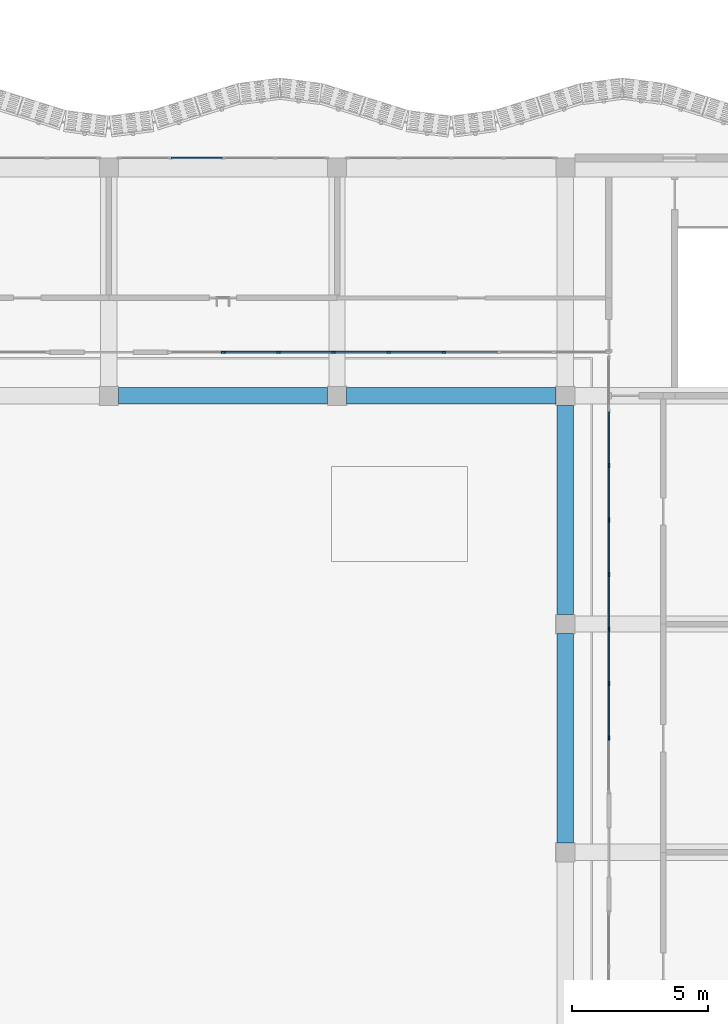
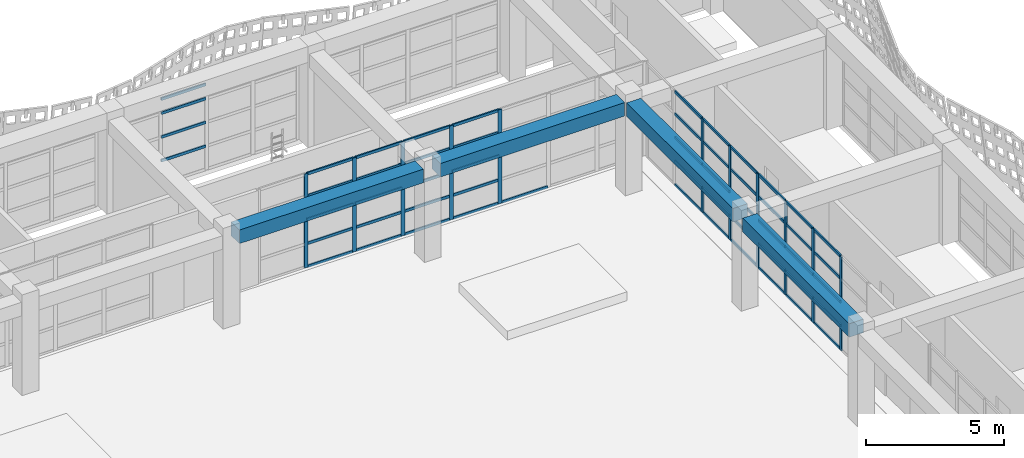
# One storey, part 12 of 85: 66 members, 4 beams, 3 elements without a shape of their own.
"""IFC4 building model written with IfcOpenShell, lengths in metres."""

from ifc_helpers import new_model, si_unit, direction, frame, origin, origin_2d, place, context, subcontext, project, spatial, rectangle, extrude, material, material_profile, profile_set, type_object, element, aggregate, save


model = new_model("IFC4")

# Units and contexts
model_context = context("Model", 3, precision=1e-05, world=origin(), true_north=direction((0.0, 1.0)))
body_context = subcontext(model_context, "Body", "Model", "MODEL_VIEW")
ifc_project = project(units=[si_unit("LENGTHUNIT", "METRE"), si_unit("AREAUNIT", "SQUARE_METRE"), si_unit("VOLUMEUNIT", "CUBIC_METRE"), si_unit("PLANEANGLEUNIT", "RADIAN"), si_unit("MASSUNIT", "GRAM", prefix="KILO")], contexts=[model_context])

# Site, building, storey
site_placement = place(None, origin())
site = spatial("IfcSite", under=ifc_project, at=site_placement, CompositionType="ELEMENT")
building_placement = place(site_placement, origin())
building = spatial("IfcBuilding", under=site, at=building_placement, Name="Rain Tree Exposition and Congress Centre", CompositionType="ELEMENT")
storey_placement = place(building_placement, frame((0.0, 0.0, 15.0)))
storey = spatial("IfcBuildingStorey", under=building, at=storey_placement, Name="L03", CompositionType="ELEMENT", Elevation=15.0)

# Beams
ifc_material_1 = material(Name="Precast concrete C50/60", Category="concrete")
ifc_material_profile_1 = material_profile(ifc_material_1, rectangle(XDim=0.60009765625, YDim=0.60009765625, at=origin_2d()), Name="RC 600x600")
ifc_profile_set_1 = profile_set([ifc_material_profile_1], Name="Precast concrete C50/60")
beam_type = type_object("IfcBeamType", Name="Precast beam 600x600", PredefinedType="BEAM", material=ifc_profile_set_1)
for number, where, z_axis, x_axis, name in (
    (1, (25.550048828125, 42.0, 3.85009765625), (1.0, 0.0, 0.0), (0.0, 1.0, 0.0), "wing/beam/L03/RF/055"),
    (2, (42.0, 25.550048828125, 3.85009765625), (0.0, 1.0, 0.0), (-1.0, 0.0, 0.0), "wing/beam/L03/RF/056"),
    (3, (33.949951171875, 42.0, 3.85009765625), (1.0, 0.0, 0.0), (0.0, 1.0, 0.0), "wing/beam/L03/RF/057"),
    (4, (42.0, 33.949951171875, 3.85009765625), (0.0, 1.0, 0.0), (-1.0, 0.0, 0.0), "wing/beam/L03/RF/058"),
):
    element("IfcBeam", number, at=place(storey_placement, frame(where, z_axis=z_axis, x_axis=x_axis)), inside=storey, type_object=beam_type, Name=name, PredefinedType="BEAM", context=body_context, shape_type="SweptSolid", body=[
        extrude(rectangle(XDim=0.60009765625, YDim=0.60009765625, at=origin_2d()), origin(), (0.0, 0.0, 1.0), 7.699951171875),
    ])

# Curtain wall, members
ifc_material_2 = material(Name="Aluminium curtain wall", Category="aluminium")
curtain_wall_type = type_object("IfcCurtainWallType", Name="Wing curtain wall 1925", PredefinedType="NOTDEFINED", material=ifc_material_2)
curtain_wall_1_placement = place(storey_placement, origin())
curtain_wall_1 = element("IfcCurtainWall", 5, at=curtain_wall_1_placement, inside=storey, type_object=curtain_wall_type, Name="Curtain wall CWW504", PredefinedType="NOTDEFINED")
ifc_material_3 = material(Name="Aluminium", Category="aluminium")
ifc_material_profile_2 = material_profile(ifc_material_3, rectangle(XDim=0.06005859375, YDim=0.159912109375, at=origin_2d()), Name="Aluminium 60x160")
ifc_profile_set_2 = profile_set([ifc_material_profile_2], Name="Aluminium")
member_type_1 = type_object("IfcMemberType", Name="Wing mullion 60x160", PredefinedType="MULLION", material=ifc_profile_set_2)
member_1_placement = place(storey_placement, frame((29.425048828125, 43.60009765625, 0.0), z_axis=(0.0, 0.0, 1.0), x_axis=(0.0, 1.0, 0.0)))
member_1 = element("IfcMember", 6, at=member_1_placement, type_object=member_type_1, Name="CWW504 mullion 2", PredefinedType="MULLION", context=body_context, shape_type="SweptSolid", body=[
    extrude(rectangle(XDim=0.06005859375, YDim=0.159912109375, at=origin_2d()), origin(), (0.0, 0.0, 1.0), 4.14990234375),
])
member_2_placement = place(storey_placement, frame((31.449951171875, 43.60009765625, 0.0), z_axis=(0.0, 0.0, 1.0), x_axis=(0.0, 1.0, 0.0)))
member_2 = element("IfcMember", 7, at=member_2_placement, type_object=member_type_1, Name="CWW504 mullion 3", PredefinedType="MULLION", context=body_context, shape_type="SweptSolid", body=[
    extrude(rectangle(XDim=0.06005859375, YDim=0.159912109375, at=origin_2d()), origin(), (0.0, 0.0, 1.0), 4.14990234375),
])
member_3_placement = place(storey_placement, frame((33.47509765625, 43.60009765625, 0.0), z_axis=(0.0, 0.0, 1.0), x_axis=(0.0, 1.0, 0.0)))
member_3 = element("IfcMember", 8, at=member_3_placement, type_object=member_type_1, Name="CWW504 mullion 4", PredefinedType="MULLION", context=body_context, shape_type="SweptSolid", body=[
    extrude(rectangle(XDim=0.06005859375, YDim=0.159912109375, at=origin_2d()), origin(), (0.0, 0.0, 1.0), 4.14990234375),
])
member_4_placement = place(storey_placement, frame((35.5, 43.60009765625, 0.0), z_axis=(0.0, 0.0, 1.0), x_axis=(0.0, 1.0, 0.0)))
member_4 = element("IfcMember", 9, at=member_4_placement, type_object=member_type_1, Name="CWW504 mullion 5", PredefinedType="MULLION", context=body_context, shape_type="SweptSolid", body=[
    extrude(rectangle(XDim=0.06005859375, YDim=0.159912109375, at=origin_2d()), origin(), (0.0, 0.0, 1.0), 4.14990234375),
])
member_5_placement = place(storey_placement, frame((37.52490234375, 43.60009765625, 0.0), z_axis=(0.0, 0.0, 1.0), x_axis=(0.0, 1.0, 0.0)))
member_5 = element("IfcMember", 10, at=member_5_placement, type_object=member_type_1, Name="CWW504 mullion 6", PredefinedType="MULLION", context=body_context, shape_type="SweptSolid", body=[
    extrude(rectangle(XDim=0.06005859375, YDim=0.159912109375, at=origin_2d()), origin(), (0.0, 0.0, 1.0), 4.14990234375),
])

curtain_wall_2_placement = place(storey_placement, origin())
curtain_wall_2 = element("IfcCurtainWall", 11, at=curtain_wall_2_placement, inside=storey, type_object=curtain_wall_type, Name="Curtain wall CWW508", PredefinedType="NOTDEFINED")
member_6_placement = place(storey_placement, frame((43.60009765625, 29.40625, 0.0), z_axis=(0.0, 0.0, 1.0), x_axis=(-1.0, 0.0, 0.0)))
member_6 = element("IfcMember", 12, at=member_6_placement, type_object=member_type_1, Name="CWW508 mullion 2", PredefinedType="MULLION", context=body_context, shape_type="SweptSolid", body=[
    extrude(rectangle(XDim=0.06005859375, YDim=0.159912109375, at=origin_2d()), origin(), (0.0, 0.0, 1.0), 4.14990234375),
])
member_7_placement = place(storey_placement, frame((43.60009765625, 31.41259765625, 0.0), z_axis=(0.0, 0.0, 1.0), x_axis=(-1.0, 0.0, 0.0)))
member_7 = element("IfcMember", 13, at=member_7_placement, type_object=member_type_1, Name="CWW508 mullion 3", PredefinedType="MULLION", context=body_context, shape_type="SweptSolid", body=[
    extrude(rectangle(XDim=0.06005859375, YDim=0.159912109375, at=origin_2d()), origin(), (0.0, 0.0, 1.0), 4.14990234375),
])
member_8_placement = place(storey_placement, frame((43.60009765625, 33.418701171875, 0.0), z_axis=(0.0, 0.0, 1.0), x_axis=(-1.0, 0.0, 0.0)))
member_8 = element("IfcMember", 14, at=member_8_placement, type_object=member_type_1, Name="CWW508 mullion 4", PredefinedType="MULLION", context=body_context, shape_type="SweptSolid", body=[
    extrude(rectangle(XDim=0.06005859375, YDim=0.159912109375, at=origin_2d()), origin(), (0.0, 0.0, 1.0), 4.14990234375),
])
member_9_placement = place(storey_placement, frame((43.60009765625, 35.425048828125, 0.0), z_axis=(0.0, 0.0, 1.0), x_axis=(-1.0, 0.0, 0.0)))
member_9 = element("IfcMember", 15, at=member_9_placement, type_object=member_type_1, Name="CWW508 mullion 5", PredefinedType="MULLION", context=body_context, shape_type="SweptSolid", body=[
    extrude(rectangle(XDim=0.06005859375, YDim=0.159912109375, at=origin_2d()), origin(), (0.0, 0.0, 1.0), 4.14990234375),
])
member_10_placement = place(storey_placement, frame((43.60009765625, 37.43115234375, 0.0), z_axis=(0.0, 0.0, 1.0), x_axis=(-1.0, 0.0, 0.0)))
member_10 = element("IfcMember", 16, at=member_10_placement, type_object=member_type_1, Name="CWW508 mullion 6", PredefinedType="MULLION", context=body_context, shape_type="SweptSolid", body=[
    extrude(rectangle(XDim=0.06005859375, YDim=0.159912109375, at=origin_2d()), origin(), (0.0, 0.0, 1.0), 4.14990234375),
])
member_11_placement = place(storey_placement, frame((43.60009765625, 39.4375, 0.0), z_axis=(0.0, 0.0, 1.0), x_axis=(-1.0, 0.0, 0.0)))
member_11 = element("IfcMember", 17, at=member_11_placement, type_object=member_type_1, Name="CWW508 mullion 7", PredefinedType="MULLION", context=body_context, shape_type="SweptSolid", body=[
    extrude(rectangle(XDim=0.06005859375, YDim=0.159912109375, at=origin_2d()), origin(), (0.0, 0.0, 1.0), 4.14990234375),
])

curtain_wall_3_placement = place(storey_placement, origin())
curtain_wall_3 = element("IfcCurtainWall", 18, at=curtain_wall_3_placement, inside=storey, type_object=curtain_wall_type, Name="Curtain wall CWW406", PredefinedType="NOTDEFINED")
ifc_material_4 = material(Name="Aluminium", Category="aluminium")
ifc_material_profile_3 = material_profile(ifc_material_4, rectangle(XDim=0.06005859375, YDim=0.1201171875, at=origin_2d()), Name="Aluminium 60x120")
ifc_profile_set_3 = profile_set([ifc_material_profile_3], Name="Aluminium")
member_type_2 = type_object("IfcMemberType", Name="Wing transom 60x120", PredefinedType="USERDEFINED", material=ifc_profile_set_3)
member_12_placement = place(storey_placement, frame((27.5048828125, 50.75, 1.050048828125), z_axis=(1.0, 0.0, 0.0), x_axis=(0.0, 1.0, 0.0)))
member_12 = element("IfcMember", 19, at=member_12_placement, type_object=member_type_2, Name="CWW406 transom 2.2", ObjectType="TRANSOM", PredefinedType="USERDEFINED", context=body_context, shape_type="SweptSolid", body=[
    extrude(rectangle(XDim=0.06005859375, YDim=0.1201171875, at=origin_2d()), origin(), (0.0, 0.0, 1.0), 1.865234375),
])
member_13_placement = place(storey_placement, frame((27.5048828125, 50.75, 2.10009765625), z_axis=(1.0, 0.0, 0.0), x_axis=(0.0, 1.0, 0.0)))
member_13 = element("IfcMember", 20, at=member_13_placement, type_object=member_type_2, Name="CWW406 transom 2.3", ObjectType="TRANSOM", PredefinedType="USERDEFINED", context=body_context, shape_type="SweptSolid", body=[
    extrude(rectangle(XDim=0.06005859375, YDim=0.1201171875, at=origin_2d()), origin(), (0.0, 0.0, 1.0), 1.865234375),
])
member_14_placement = place(storey_placement, frame((27.5048828125, 50.75, 3.14990234375), z_axis=(1.0, 0.0, 0.0), x_axis=(0.0, 1.0, 0.0)))
member_14 = element("IfcMember", 21, at=member_14_placement, type_object=member_type_2, Name="CWW406 transom 2.4", ObjectType="TRANSOM", PredefinedType="USERDEFINED", context=body_context, shape_type="SweptSolid", body=[
    extrude(rectangle(XDim=0.06005859375, YDim=0.1201171875, at=origin_2d()), origin(), (0.0, 0.0, 1.0), 1.865234375),
])
member_15_placement = place(storey_placement, frame((27.5048828125, 50.75, 3.77001953125), z_axis=(1.0, 0.0, 0.0), x_axis=(0.0, 1.0, 0.0)))
member_15 = element("IfcMember", 22, at=member_15_placement, type_object=member_type_2, Name="CWW406 transom 2.5", ObjectType="TRANSOM", PredefinedType="USERDEFINED", context=body_context, shape_type="SweptSolid", body=[
    extrude(rectangle(XDim=0.06005859375, YDim=0.1201171875, at=origin_2d()), origin(), (0.0, 0.0, 1.0), 1.865234375),
])
aggregate(curtain_wall_3, [member_12, member_13, member_14, member_15])

# Member
member_16_placement = place(storey_placement, frame((29.455078125, 43.60009765625, 0.030029296875), z_axis=(1.0, 0.0, 0.0), x_axis=(0.0, 1.0, 0.0)))
member_16 = element("IfcMember", 23, at=member_16_placement, type_object=member_type_2, Name="CWW504 transom 2.1", ObjectType="TRANSOM", PredefinedType="USERDEFINED", context=body_context, shape_type="SweptSolid", body=[
    extrude(rectangle(XDim=0.06005859375, YDim=0.1201171875, at=origin_2d()), origin(), (0.0, 0.0, 1.0), 1.96484375),
])

member_17_placement = place(storey_placement, frame((29.455078125, 43.60009765625, 1.050048828125), z_axis=(1.0, 0.0, 0.0), x_axis=(0.0, 1.0, 0.0)))
member_17 = element("IfcMember", 24, at=member_17_placement, type_object=member_type_2, Name="CWW504 transom 2.2", ObjectType="TRANSOM", PredefinedType="USERDEFINED", context=body_context, shape_type="SweptSolid", body=[
    extrude(rectangle(XDim=0.06005859375, YDim=0.1201171875, at=origin_2d()), origin(), (0.0, 0.0, 1.0), 1.96484375),
])

member_18_placement = place(storey_placement, frame((29.455078125, 43.60009765625, 2.10009765625), z_axis=(1.0, 0.0, 0.0), x_axis=(0.0, 1.0, 0.0)))
member_18 = element("IfcMember", 25, at=member_18_placement, type_object=member_type_2, Name="CWW504 transom 2.3", ObjectType="TRANSOM", PredefinedType="USERDEFINED", context=body_context, shape_type="SweptSolid", body=[
    extrude(rectangle(XDim=0.06005859375, YDim=0.1201171875, at=origin_2d()), origin(), (0.0, 0.0, 1.0), 1.96484375),
])

member_19_placement = place(storey_placement, frame((29.455078125, 43.60009765625, 3.14990234375), z_axis=(1.0, 0.0, 0.0), x_axis=(0.0, 1.0, 0.0)))
member_19 = element("IfcMember", 26, at=member_19_placement, type_object=member_type_2, Name="CWW504 transom 2.4", ObjectType="TRANSOM", PredefinedType="USERDEFINED", context=body_context, shape_type="SweptSolid", body=[
    extrude(rectangle(XDim=0.06005859375, YDim=0.1201171875, at=origin_2d()), origin(), (0.0, 0.0, 1.0), 1.96484375),
])

member_20_placement = place(storey_placement, frame((29.455078125, 43.60009765625, 4.1201171875), z_axis=(1.0, 0.0, 0.0), x_axis=(0.0, 1.0, 0.0)))
member_20 = element("IfcMember", 27, at=member_20_placement, type_object=member_type_2, Name="CWW504 transom 2.5", ObjectType="TRANSOM", PredefinedType="USERDEFINED", context=body_context, shape_type="SweptSolid", body=[
    extrude(rectangle(XDim=0.06005859375, YDim=0.1201171875, at=origin_2d()), origin(), (0.0, 0.0, 1.0), 1.96484375),
])

member_21_placement = place(storey_placement, frame((31.47998046875, 43.60009765625, 0.030029296875), z_axis=(1.0, 0.0, 0.0), x_axis=(0.0, 1.0, 0.0)))
member_21 = element("IfcMember", 28, at=member_21_placement, type_object=member_type_2, Name="CWW504 transom 3.1", ObjectType="TRANSOM", PredefinedType="USERDEFINED", context=body_context, shape_type="SweptSolid", body=[
    extrude(rectangle(XDim=0.06005859375, YDim=0.1201171875, at=origin_2d()), origin(), (0.0, 0.0, 1.0), 1.965087890625),
])

member_22_placement = place(storey_placement, frame((31.47998046875, 43.60009765625, 1.050048828125), z_axis=(1.0, 0.0, 0.0), x_axis=(0.0, 1.0, 0.0)))
member_22 = element("IfcMember", 29, at=member_22_placement, type_object=member_type_2, Name="CWW504 transom 3.2", ObjectType="TRANSOM", PredefinedType="USERDEFINED", context=body_context, shape_type="SweptSolid", body=[
    extrude(rectangle(XDim=0.06005859375, YDim=0.1201171875, at=origin_2d()), origin(), (0.0, 0.0, 1.0), 1.965087890625),
])

member_23_placement = place(storey_placement, frame((31.47998046875, 43.60009765625, 2.10009765625), z_axis=(1.0, 0.0, 0.0), x_axis=(0.0, 1.0, 0.0)))
member_23 = element("IfcMember", 30, at=member_23_placement, type_object=member_type_2, Name="CWW504 transom 3.3", ObjectType="TRANSOM", PredefinedType="USERDEFINED", context=body_context, shape_type="SweptSolid", body=[
    extrude(rectangle(XDim=0.06005859375, YDim=0.1201171875, at=origin_2d()), origin(), (0.0, 0.0, 1.0), 1.965087890625),
])

member_24_placement = place(storey_placement, frame((31.47998046875, 43.60009765625, 3.14990234375), z_axis=(1.0, 0.0, 0.0), x_axis=(0.0, 1.0, 0.0)))
member_24 = element("IfcMember", 31, at=member_24_placement, type_object=member_type_2, Name="CWW504 transom 3.4", ObjectType="TRANSOM", PredefinedType="USERDEFINED", context=body_context, shape_type="SweptSolid", body=[
    extrude(rectangle(XDim=0.06005859375, YDim=0.1201171875, at=origin_2d()), origin(), (0.0, 0.0, 1.0), 1.965087890625),
])

member_25_placement = place(storey_placement, frame((31.47998046875, 43.60009765625, 4.1201171875), z_axis=(1.0, 0.0, 0.0), x_axis=(0.0, 1.0, 0.0)))
member_25 = element("IfcMember", 32, at=member_25_placement, type_object=member_type_2, Name="CWW504 transom 3.5", ObjectType="TRANSOM", PredefinedType="USERDEFINED", context=body_context, shape_type="SweptSolid", body=[
    extrude(rectangle(XDim=0.06005859375, YDim=0.1201171875, at=origin_2d()), origin(), (0.0, 0.0, 1.0), 1.965087890625),
])

member_26_placement = place(storey_placement, frame((33.5048828125, 43.60009765625, 0.030029296875), z_axis=(1.0, 0.0, 0.0), x_axis=(0.0, 1.0, 0.0)))
member_26 = element("IfcMember", 33, at=member_26_placement, type_object=member_type_2, Name="CWW504 transom 4.1", ObjectType="TRANSOM", PredefinedType="USERDEFINED", context=body_context, shape_type="SweptSolid", body=[
    extrude(rectangle(XDim=0.06005859375, YDim=0.1201171875, at=origin_2d()), origin(), (0.0, 0.0, 1.0), 1.965087890625),
])

member_27_placement = place(storey_placement, frame((33.5048828125, 43.60009765625, 1.050048828125), z_axis=(1.0, 0.0, 0.0), x_axis=(0.0, 1.0, 0.0)))
member_27 = element("IfcMember", 34, at=member_27_placement, type_object=member_type_2, Name="CWW504 transom 4.2", ObjectType="TRANSOM", PredefinedType="USERDEFINED", context=body_context, shape_type="SweptSolid", body=[
    extrude(rectangle(XDim=0.06005859375, YDim=0.1201171875, at=origin_2d()), origin(), (0.0, 0.0, 1.0), 1.965087890625),
])

member_28_placement = place(storey_placement, frame((33.5048828125, 43.60009765625, 2.10009765625), z_axis=(1.0, 0.0, 0.0), x_axis=(0.0, 1.0, 0.0)))
member_28 = element("IfcMember", 35, at=member_28_placement, type_object=member_type_2, Name="CWW504 transom 4.3", ObjectType="TRANSOM", PredefinedType="USERDEFINED", context=body_context, shape_type="SweptSolid", body=[
    extrude(rectangle(XDim=0.06005859375, YDim=0.1201171875, at=origin_2d()), origin(), (0.0, 0.0, 1.0), 1.965087890625),
])

member_29_placement = place(storey_placement, frame((33.5048828125, 43.60009765625, 3.14990234375), z_axis=(1.0, 0.0, 0.0), x_axis=(0.0, 1.0, 0.0)))
member_29 = element("IfcMember", 36, at=member_29_placement, type_object=member_type_2, Name="CWW504 transom 4.4", ObjectType="TRANSOM", PredefinedType="USERDEFINED", context=body_context, shape_type="SweptSolid", body=[
    extrude(rectangle(XDim=0.06005859375, YDim=0.1201171875, at=origin_2d()), origin(), (0.0, 0.0, 1.0), 1.965087890625),
])

member_30_placement = place(storey_placement, frame((33.5048828125, 43.60009765625, 4.1201171875), z_axis=(1.0, 0.0, 0.0), x_axis=(0.0, 1.0, 0.0)))
member_30 = element("IfcMember", 37, at=member_30_placement, type_object=member_type_2, Name="CWW504 transom 4.5", ObjectType="TRANSOM", PredefinedType="USERDEFINED", context=body_context, shape_type="SweptSolid", body=[
    extrude(rectangle(XDim=0.06005859375, YDim=0.1201171875, at=origin_2d()), origin(), (0.0, 0.0, 1.0), 1.965087890625),
])

member_31_placement = place(storey_placement, frame((35.530029296875, 43.60009765625, 0.030029296875), z_axis=(1.0, 0.0, 0.0), x_axis=(0.0, 1.0, 0.0)))
member_31 = element("IfcMember", 38, at=member_31_placement, type_object=member_type_2, Name="CWW504 transom 5.1", ObjectType="TRANSOM", PredefinedType="USERDEFINED", context=body_context, shape_type="SweptSolid", body=[
    extrude(rectangle(XDim=0.06005859375, YDim=0.1201171875, at=origin_2d()), origin(), (0.0, 0.0, 1.0), 1.965087890625),
])

member_32_placement = place(storey_placement, frame((35.530029296875, 43.60009765625, 1.050048828125), z_axis=(1.0, 0.0, 0.0), x_axis=(0.0, 1.0, 0.0)))
member_32 = element("IfcMember", 39, at=member_32_placement, type_object=member_type_2, Name="CWW504 transom 5.2", ObjectType="TRANSOM", PredefinedType="USERDEFINED", context=body_context, shape_type="SweptSolid", body=[
    extrude(rectangle(XDim=0.06005859375, YDim=0.1201171875, at=origin_2d()), origin(), (0.0, 0.0, 1.0), 1.965087890625),
])

member_33_placement = place(storey_placement, frame((35.530029296875, 43.60009765625, 2.10009765625), z_axis=(1.0, 0.0, 0.0), x_axis=(0.0, 1.0, 0.0)))
member_33 = element("IfcMember", 40, at=member_33_placement, type_object=member_type_2, Name="CWW504 transom 5.3", ObjectType="TRANSOM", PredefinedType="USERDEFINED", context=body_context, shape_type="SweptSolid", body=[
    extrude(rectangle(XDim=0.06005859375, YDim=0.1201171875, at=origin_2d()), origin(), (0.0, 0.0, 1.0), 1.965087890625),
])

member_34_placement = place(storey_placement, frame((35.530029296875, 43.60009765625, 3.14990234375), z_axis=(1.0, 0.0, 0.0), x_axis=(0.0, 1.0, 0.0)))
member_34 = element("IfcMember", 41, at=member_34_placement, type_object=member_type_2, Name="CWW504 transom 5.4", ObjectType="TRANSOM", PredefinedType="USERDEFINED", context=body_context, shape_type="SweptSolid", body=[
    extrude(rectangle(XDim=0.06005859375, YDim=0.1201171875, at=origin_2d()), origin(), (0.0, 0.0, 1.0), 1.965087890625),
])

member_35_placement = place(storey_placement, frame((35.530029296875, 43.60009765625, 4.1201171875), z_axis=(1.0, 0.0, 0.0), x_axis=(0.0, 1.0, 0.0)))
member_35 = element("IfcMember", 42, at=member_35_placement, type_object=member_type_2, Name="CWW504 transom 5.5", ObjectType="TRANSOM", PredefinedType="USERDEFINED", context=body_context, shape_type="SweptSolid", body=[
    extrude(rectangle(XDim=0.06005859375, YDim=0.1201171875, at=origin_2d()), origin(), (0.0, 0.0, 1.0), 1.965087890625),
])

member_36_placement = place(storey_placement, frame((37.554931640625, 43.60009765625, 0.030029296875), z_axis=(1.0, 0.0, 0.0), x_axis=(0.0, 1.0, 0.0)))
member_36 = element("IfcMember", 43, at=member_36_placement, type_object=member_type_2, Name="CWW504 transom 6.1", ObjectType="TRANSOM", PredefinedType="USERDEFINED", context=body_context, shape_type="SweptSolid", body=[
    extrude(rectangle(XDim=0.06005859375, YDim=0.1201171875, at=origin_2d()), origin(), (0.0, 0.0, 1.0), 1.965087890625),
])

aggregate(curtain_wall_1, [member_1, member_2, member_3, member_4, member_5, member_16, member_17, member_18, member_19, member_20, member_21, member_22, member_23, member_24, member_25, member_26, member_27, member_28, member_29, member_30, member_31, member_32, member_33, member_34, member_35, member_36])

member_37_placement = place(storey_placement, frame((43.60009765625, 29.436279296875, 0.030029296875), z_axis=(0.0, 1.0, 0.0), x_axis=(-1.0, 0.0, 0.0)))
member_37 = element("IfcMember", 44, at=member_37_placement, type_object=member_type_2, Name="CWW508 transom 2.1", ObjectType="TRANSOM", PredefinedType="USERDEFINED", context=body_context, shape_type="SweptSolid", body=[
    extrude(rectangle(XDim=0.06005859375, YDim=0.1201171875, at=origin_2d()), origin(), (0.0, 0.0, 1.0), 1.9462890625),
])

member_38_placement = place(storey_placement, frame((43.60009765625, 29.436279296875, 1.050048828125), z_axis=(0.0, 1.0, 0.0), x_axis=(-1.0, 0.0, 0.0)))
member_38 = element("IfcMember", 45, at=member_38_placement, type_object=member_type_2, Name="CWW508 transom 2.2", ObjectType="TRANSOM", PredefinedType="USERDEFINED", context=body_context, shape_type="SweptSolid", body=[
    extrude(rectangle(XDim=0.06005859375, YDim=0.1201171875, at=origin_2d()), origin(), (0.0, 0.0, 1.0), 1.9462890625),
])

member_39_placement = place(storey_placement, frame((43.60009765625, 29.436279296875, 2.10009765625), z_axis=(0.0, 1.0, 0.0), x_axis=(-1.0, 0.0, 0.0)))
member_39 = element("IfcMember", 46, at=member_39_placement, type_object=member_type_2, Name="CWW508 transom 2.3", ObjectType="TRANSOM", PredefinedType="USERDEFINED", context=body_context, shape_type="SweptSolid", body=[
    extrude(rectangle(XDim=0.06005859375, YDim=0.1201171875, at=origin_2d()), origin(), (0.0, 0.0, 1.0), 1.9462890625),
])

member_40_placement = place(storey_placement, frame((43.60009765625, 29.436279296875, 3.14990234375), z_axis=(0.0, 1.0, 0.0), x_axis=(-1.0, 0.0, 0.0)))
member_40 = element("IfcMember", 47, at=member_40_placement, type_object=member_type_2, Name="CWW508 transom 2.4", ObjectType="TRANSOM", PredefinedType="USERDEFINED", context=body_context, shape_type="SweptSolid", body=[
    extrude(rectangle(XDim=0.06005859375, YDim=0.1201171875, at=origin_2d()), origin(), (0.0, 0.0, 1.0), 1.9462890625),
])

member_41_placement = place(storey_placement, frame((43.60009765625, 29.436279296875, 4.1201171875), z_axis=(0.0, 1.0, 0.0), x_axis=(-1.0, 0.0, 0.0)))
member_41 = element("IfcMember", 48, at=member_41_placement, type_object=member_type_2, Name="CWW508 transom 2.5", ObjectType="TRANSOM", PredefinedType="USERDEFINED", context=body_context, shape_type="SweptSolid", body=[
    extrude(rectangle(XDim=0.06005859375, YDim=0.1201171875, at=origin_2d()), origin(), (0.0, 0.0, 1.0), 1.9462890625),
])

member_42_placement = place(storey_placement, frame((43.60009765625, 31.4423828125, 0.030029296875), z_axis=(0.0, 1.0, 0.0), x_axis=(-1.0, 0.0, 0.0)))
member_42 = element("IfcMember", 49, at=member_42_placement, type_object=member_type_2, Name="CWW508 transom 3.1", ObjectType="TRANSOM", PredefinedType="USERDEFINED", context=body_context, shape_type="SweptSolid", body=[
    extrude(rectangle(XDim=0.06005859375, YDim=0.1201171875, at=origin_2d()), origin(), (0.0, 0.0, 1.0), 1.9462890625),
])

member_43_placement = place(storey_placement, frame((43.60009765625, 31.4423828125, 1.050048828125), z_axis=(0.0, 1.0, 0.0), x_axis=(-1.0, 0.0, 0.0)))
member_43 = element("IfcMember", 50, at=member_43_placement, type_object=member_type_2, Name="CWW508 transom 3.2", ObjectType="TRANSOM", PredefinedType="USERDEFINED", context=body_context, shape_type="SweptSolid", body=[
    extrude(rectangle(XDim=0.06005859375, YDim=0.1201171875, at=origin_2d()), origin(), (0.0, 0.0, 1.0), 1.9462890625),
])

member_44_placement = place(storey_placement, frame((43.60009765625, 31.4423828125, 2.10009765625), z_axis=(0.0, 1.0, 0.0), x_axis=(-1.0, 0.0, 0.0)))
member_44 = element("IfcMember", 51, at=member_44_placement, type_object=member_type_2, Name="CWW508 transom 3.3", ObjectType="TRANSOM", PredefinedType="USERDEFINED", context=body_context, shape_type="SweptSolid", body=[
    extrude(rectangle(XDim=0.06005859375, YDim=0.1201171875, at=origin_2d()), origin(), (0.0, 0.0, 1.0), 1.9462890625),
])

member_45_placement = place(storey_placement, frame((43.60009765625, 31.4423828125, 3.14990234375), z_axis=(0.0, 1.0, 0.0), x_axis=(-1.0, 0.0, 0.0)))
member_45 = element("IfcMember", 52, at=member_45_placement, type_object=member_type_2, Name="CWW508 transom 3.4", ObjectType="TRANSOM", PredefinedType="USERDEFINED", context=body_context, shape_type="SweptSolid", body=[
    extrude(rectangle(XDim=0.06005859375, YDim=0.1201171875, at=origin_2d()), origin(), (0.0, 0.0, 1.0), 1.9462890625),
])

member_46_placement = place(storey_placement, frame((43.60009765625, 31.4423828125, 4.1201171875), z_axis=(0.0, 1.0, 0.0), x_axis=(-1.0, 0.0, 0.0)))
member_46 = element("IfcMember", 53, at=member_46_placement, type_object=member_type_2, Name="CWW508 transom 3.5", ObjectType="TRANSOM", PredefinedType="USERDEFINED", context=body_context, shape_type="SweptSolid", body=[
    extrude(rectangle(XDim=0.06005859375, YDim=0.1201171875, at=origin_2d()), origin(), (0.0, 0.0, 1.0), 1.9462890625),
])

member_47_placement = place(storey_placement, frame((43.60009765625, 33.44873046875, 0.030029296875), z_axis=(0.0, 1.0, 0.0), x_axis=(-1.0, 0.0, 0.0)))
member_47 = element("IfcMember", 54, at=member_47_placement, type_object=member_type_2, Name="CWW508 transom 4.1", ObjectType="TRANSOM", PredefinedType="USERDEFINED", context=body_context, shape_type="SweptSolid", body=[
    extrude(rectangle(XDim=0.06005859375, YDim=0.1201171875, at=origin_2d()), origin(), (0.0, 0.0, 1.0), 1.9462890625),
])

member_48_placement = place(storey_placement, frame((43.60009765625, 33.44873046875, 1.050048828125), z_axis=(0.0, 1.0, 0.0), x_axis=(-1.0, 0.0, 0.0)))
member_48 = element("IfcMember", 55, at=member_48_placement, type_object=member_type_2, Name="CWW508 transom 4.2", ObjectType="TRANSOM", PredefinedType="USERDEFINED", context=body_context, shape_type="SweptSolid", body=[
    extrude(rectangle(XDim=0.06005859375, YDim=0.1201171875, at=origin_2d()), origin(), (0.0, 0.0, 1.0), 1.9462890625),
])

member_49_placement = place(storey_placement, frame((43.60009765625, 33.44873046875, 2.10009765625), z_axis=(0.0, 1.0, 0.0), x_axis=(-1.0, 0.0, 0.0)))
member_49 = element("IfcMember", 56, at=member_49_placement, type_object=member_type_2, Name="CWW508 transom 4.3", ObjectType="TRANSOM", PredefinedType="USERDEFINED", context=body_context, shape_type="SweptSolid", body=[
    extrude(rectangle(XDim=0.06005859375, YDim=0.1201171875, at=origin_2d()), origin(), (0.0, 0.0, 1.0), 1.9462890625),
])

member_50_placement = place(storey_placement, frame((43.60009765625, 33.44873046875, 3.14990234375), z_axis=(0.0, 1.0, 0.0), x_axis=(-1.0, 0.0, 0.0)))
member_50 = element("IfcMember", 57, at=member_50_placement, type_object=member_type_2, Name="CWW508 transom 4.4", ObjectType="TRANSOM", PredefinedType="USERDEFINED", context=body_context, shape_type="SweptSolid", body=[
    extrude(rectangle(XDim=0.06005859375, YDim=0.1201171875, at=origin_2d()), origin(), (0.0, 0.0, 1.0), 1.9462890625),
])

member_51_placement = place(storey_placement, frame((43.60009765625, 33.44873046875, 4.1201171875), z_axis=(0.0, 1.0, 0.0), x_axis=(-1.0, 0.0, 0.0)))
member_51 = element("IfcMember", 58, at=member_51_placement, type_object=member_type_2, Name="CWW508 transom 4.5", ObjectType="TRANSOM", PredefinedType="USERDEFINED", context=body_context, shape_type="SweptSolid", body=[
    extrude(rectangle(XDim=0.06005859375, YDim=0.1201171875, at=origin_2d()), origin(), (0.0, 0.0, 1.0), 1.9462890625),
])

member_52_placement = place(storey_placement, frame((43.60009765625, 35.455078125, 0.030029296875), z_axis=(0.0, 1.0, 0.0), x_axis=(-1.0, 0.0, 0.0)))
member_52 = element("IfcMember", 59, at=member_52_placement, type_object=member_type_2, Name="CWW508 transom 5.1", ObjectType="TRANSOM", PredefinedType="USERDEFINED", context=body_context, shape_type="SweptSolid", body=[
    extrude(rectangle(XDim=0.06005859375, YDim=0.1201171875, at=origin_2d()), origin(), (0.0, 0.0, 1.0), 1.9462890625),
])

member_53_placement = place(storey_placement, frame((43.60009765625, 35.455078125, 1.050048828125), z_axis=(0.0, 1.0, 0.0), x_axis=(-1.0, 0.0, 0.0)))
member_53 = element("IfcMember", 60, at=member_53_placement, type_object=member_type_2, Name="CWW508 transom 5.2", ObjectType="TRANSOM", PredefinedType="USERDEFINED", context=body_context, shape_type="SweptSolid", body=[
    extrude(rectangle(XDim=0.06005859375, YDim=0.1201171875, at=origin_2d()), origin(), (0.0, 0.0, 1.0), 1.9462890625),
])

member_54_placement = place(storey_placement, frame((43.60009765625, 35.455078125, 2.10009765625), z_axis=(0.0, 1.0, 0.0), x_axis=(-1.0, 0.0, 0.0)))
member_54 = element("IfcMember", 61, at=member_54_placement, type_object=member_type_2, Name="CWW508 transom 5.3", ObjectType="TRANSOM", PredefinedType="USERDEFINED", context=body_context, shape_type="SweptSolid", body=[
    extrude(rectangle(XDim=0.06005859375, YDim=0.1201171875, at=origin_2d()), origin(), (0.0, 0.0, 1.0), 1.9462890625),
])

member_55_placement = place(storey_placement, frame((43.60009765625, 35.455078125, 3.14990234375), z_axis=(0.0, 1.0, 0.0), x_axis=(-1.0, 0.0, 0.0)))
member_55 = element("IfcMember", 62, at=member_55_placement, type_object=member_type_2, Name="CWW508 transom 5.4", ObjectType="TRANSOM", PredefinedType="USERDEFINED", context=body_context, shape_type="SweptSolid", body=[
    extrude(rectangle(XDim=0.06005859375, YDim=0.1201171875, at=origin_2d()), origin(), (0.0, 0.0, 1.0), 1.9462890625),
])

member_56_placement = place(storey_placement, frame((43.60009765625, 35.455078125, 4.1201171875), z_axis=(0.0, 1.0, 0.0), x_axis=(-1.0, 0.0, 0.0)))
member_56 = element("IfcMember", 63, at=member_56_placement, type_object=member_type_2, Name="CWW508 transom 5.5", ObjectType="TRANSOM", PredefinedType="USERDEFINED", context=body_context, shape_type="SweptSolid", body=[
    extrude(rectangle(XDim=0.06005859375, YDim=0.1201171875, at=origin_2d()), origin(), (0.0, 0.0, 1.0), 1.9462890625),
])

member_57_placement = place(storey_placement, frame((43.60009765625, 37.461181640625, 0.030029296875), z_axis=(0.0, 1.0, 0.0), x_axis=(-1.0, 0.0, 0.0)))
member_57 = element("IfcMember", 64, at=member_57_placement, type_object=member_type_2, Name="CWW508 transom 6.1", ObjectType="TRANSOM", PredefinedType="USERDEFINED", context=body_context, shape_type="SweptSolid", body=[
    extrude(rectangle(XDim=0.06005859375, YDim=0.1201171875, at=origin_2d()), origin(), (0.0, 0.0, 1.0), 1.9462890625),
])

member_58_placement = place(storey_placement, frame((43.60009765625, 37.461181640625, 1.050048828125), z_axis=(0.0, 1.0, 0.0), x_axis=(-1.0, 0.0, 0.0)))
member_58 = element("IfcMember", 65, at=member_58_placement, type_object=member_type_2, Name="CWW508 transom 6.2", ObjectType="TRANSOM", PredefinedType="USERDEFINED", context=body_context, shape_type="SweptSolid", body=[
    extrude(rectangle(XDim=0.06005859375, YDim=0.1201171875, at=origin_2d()), origin(), (0.0, 0.0, 1.0), 1.9462890625),
])

member_59_placement = place(storey_placement, frame((43.60009765625, 37.461181640625, 2.10009765625), z_axis=(0.0, 1.0, 0.0), x_axis=(-1.0, 0.0, 0.0)))
member_59 = element("IfcMember", 66, at=member_59_placement, type_object=member_type_2, Name="CWW508 transom 6.3", ObjectType="TRANSOM", PredefinedType="USERDEFINED", context=body_context, shape_type="SweptSolid", body=[
    extrude(rectangle(XDim=0.06005859375, YDim=0.1201171875, at=origin_2d()), origin(), (0.0, 0.0, 1.0), 1.9462890625),
])

member_60_placement = place(storey_placement, frame((43.60009765625, 37.461181640625, 3.14990234375), z_axis=(0.0, 1.0, 0.0), x_axis=(-1.0, 0.0, 0.0)))
member_60 = element("IfcMember", 67, at=member_60_placement, type_object=member_type_2, Name="CWW508 transom 6.4", ObjectType="TRANSOM", PredefinedType="USERDEFINED", context=body_context, shape_type="SweptSolid", body=[
    extrude(rectangle(XDim=0.06005859375, YDim=0.1201171875, at=origin_2d()), origin(), (0.0, 0.0, 1.0), 1.9462890625),
])

member_61_placement = place(storey_placement, frame((43.60009765625, 37.461181640625, 4.1201171875), z_axis=(0.0, 1.0, 0.0), x_axis=(-1.0, 0.0, 0.0)))
member_61 = element("IfcMember", 68, at=member_61_placement, type_object=member_type_2, Name="CWW508 transom 6.5", ObjectType="TRANSOM", PredefinedType="USERDEFINED", context=body_context, shape_type="SweptSolid", body=[
    extrude(rectangle(XDim=0.06005859375, YDim=0.1201171875, at=origin_2d()), origin(), (0.0, 0.0, 1.0), 1.9462890625),
])

member_62_placement = place(storey_placement, frame((43.60009765625, 39.467529296875, 0.030029296875), z_axis=(0.0, 1.0, 0.0), x_axis=(-1.0, 0.0, 0.0)))
member_62 = element("IfcMember", 69, at=member_62_placement, type_object=member_type_2, Name="CWW508 transom 7.1", ObjectType="TRANSOM", PredefinedType="USERDEFINED", context=body_context, shape_type="SweptSolid", body=[
    extrude(rectangle(XDim=0.06005859375, YDim=0.1201171875, at=origin_2d()), origin(), (0.0, 0.0, 1.0), 1.9462890625),
])

member_63_placement = place(storey_placement, frame((43.60009765625, 39.467529296875, 1.050048828125), z_axis=(0.0, 1.0, 0.0), x_axis=(-1.0, 0.0, 0.0)))
member_63 = element("IfcMember", 70, at=member_63_placement, type_object=member_type_2, Name="CWW508 transom 7.2", ObjectType="TRANSOM", PredefinedType="USERDEFINED", context=body_context, shape_type="SweptSolid", body=[
    extrude(rectangle(XDim=0.06005859375, YDim=0.1201171875, at=origin_2d()), origin(), (0.0, 0.0, 1.0), 1.9462890625),
])

member_64_placement = place(storey_placement, frame((43.60009765625, 39.467529296875, 2.10009765625), z_axis=(0.0, 1.0, 0.0), x_axis=(-1.0, 0.0, 0.0)))
member_64 = element("IfcMember", 71, at=member_64_placement, type_object=member_type_2, Name="CWW508 transom 7.3", ObjectType="TRANSOM", PredefinedType="USERDEFINED", context=body_context, shape_type="SweptSolid", body=[
    extrude(rectangle(XDim=0.06005859375, YDim=0.1201171875, at=origin_2d()), origin(), (0.0, 0.0, 1.0), 1.9462890625),
])

member_65_placement = place(storey_placement, frame((43.60009765625, 39.467529296875, 3.14990234375), z_axis=(0.0, 1.0, 0.0), x_axis=(-1.0, 0.0, 0.0)))
member_65 = element("IfcMember", 72, at=member_65_placement, type_object=member_type_2, Name="CWW508 transom 7.4", ObjectType="TRANSOM", PredefinedType="USERDEFINED", context=body_context, shape_type="SweptSolid", body=[
    extrude(rectangle(XDim=0.06005859375, YDim=0.1201171875, at=origin_2d()), origin(), (0.0, 0.0, 1.0), 1.9462890625),
])

member_66_placement = place(storey_placement, frame((43.60009765625, 39.467529296875, 4.1201171875), z_axis=(0.0, 1.0, 0.0), x_axis=(-1.0, 0.0, 0.0)))
member_66 = element("IfcMember", 73, at=member_66_placement, type_object=member_type_2, Name="CWW508 transom 7.5", ObjectType="TRANSOM", PredefinedType="USERDEFINED", context=body_context, shape_type="SweptSolid", body=[
    extrude(rectangle(XDim=0.06005859375, YDim=0.1201171875, at=origin_2d()), origin(), (0.0, 0.0, 1.0), 1.9462890625),
])

aggregate(curtain_wall_2, [member_6, member_7, member_8, member_9, member_10, member_11, member_37, member_38, member_39, member_40, member_41, member_42, member_43, member_44, member_45, member_46, member_47, member_48, member_49, member_50, member_51, member_52, member_53, member_54, member_55, member_56, member_57, member_58, member_59, member_60, member_61, member_62, member_63, member_64, member_65, member_66])

save(model, "model.ifc")
